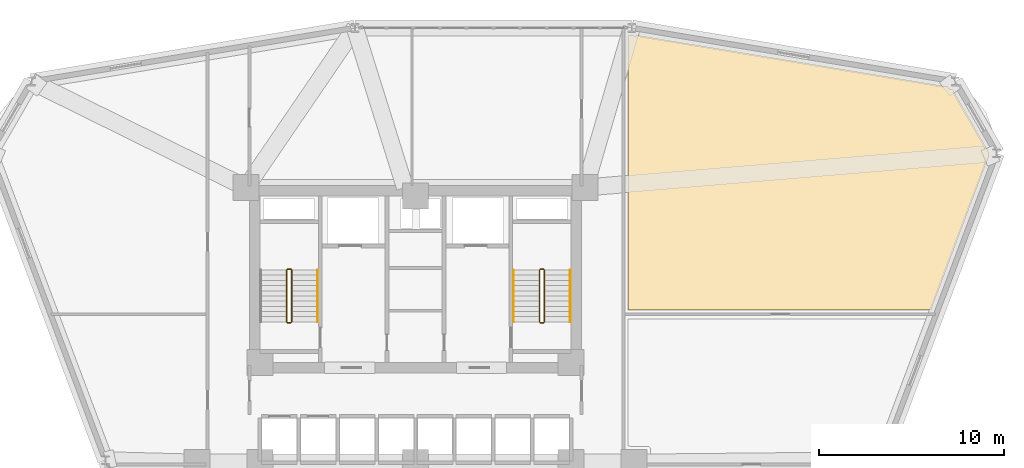
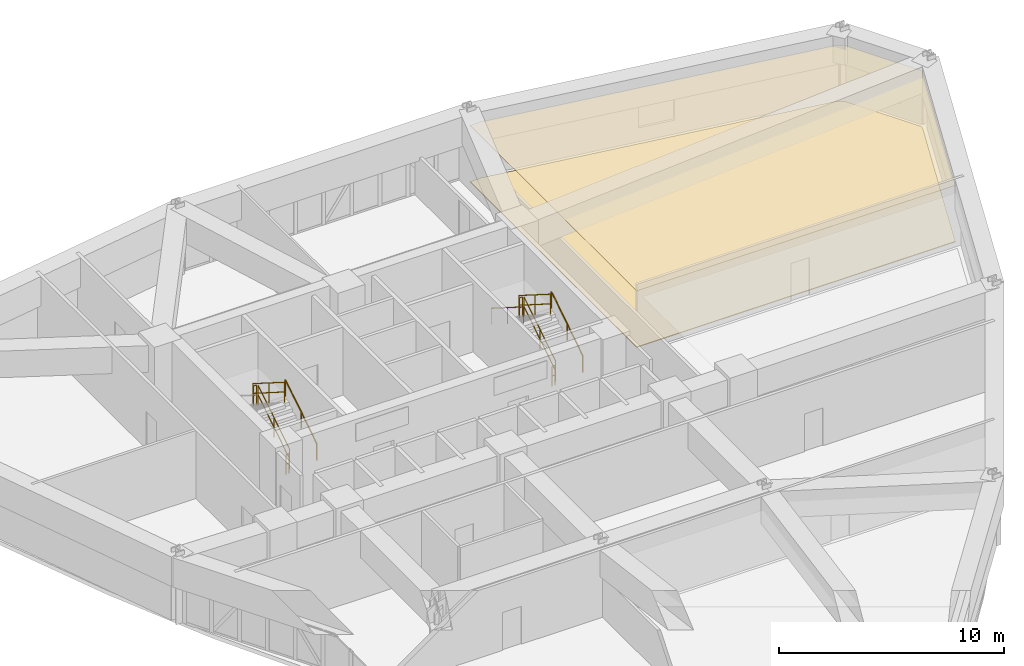
# One storey, part 17 of 17: 11 railings, 2 coverings.
"""IFC4 building model written with IfcOpenShell, lengths in metres."""

from ifc_helpers import new_model, si_unit, derived_unit, direction, frame, origin, origin_2d, place, context, subcontext, project, spatial, polyline, circle, outline, extrude, material, layer, layer_set, type_object, element, save


model = new_model("IFC4")

# Units and contexts
model_context = context("Model", 3, precision=1e-05, world=origin(), true_north=direction((0.0, 1.0)))
body_context = subcontext(model_context, "Body", "Model", "MODEL_VIEW")
ifc_project = project(units=[si_unit("LENGTHUNIT", "METRE"), si_unit("AREAUNIT", "SQUARE_METRE"), si_unit("VOLUMEUNIT", "CUBIC_METRE"), si_unit("PLANEANGLEUNIT", "RADIAN"), si_unit("MASSUNIT", "GRAM", prefix="KILO"), derived_unit("THERMALTRANSMITTANCEUNIT", [(si_unit("POWERUNIT", "WATT"), 1), (si_unit("LENGTHUNIT", "METRE"), -2), (si_unit("THERMODYNAMICTEMPERATUREUNIT", "KELVIN"), -1)])], contexts=[model_context])

# Site, building, storey
site_placement = place(None, origin())
site = spatial("IfcSite", under=ifc_project, at=site_placement, CompositionType="ELEMENT")
building_placement = place(site_placement, origin())
building = spatial("IfcBuilding", under=site, at=building_placement, Name="Korsvarv Bourse and Concert Hall", CompositionType="ELEMENT")
storey_placement = place(building_placement, frame((0.0, 0.0, 83.39990234375)))
storey = spatial("IfcBuildingStorey", under=building, at=storey_placement, Name="L20", CompositionType="ELEMENT", Elevation=83.39990234375)

# Coverings
ifc_material_1 = material(Name="Perforated mineral-wool and birch acoustic baffle ceiling", Category="wood")
ifc_layer_1 = layer(ifc_material_1, 0.02490234375)
ifc_layer_set_1 = layer_set([ifc_layer_1], Name="Perforated mineral-wool and birch acoustic baffle ceiling")
covering_type_1 = type_object("IfcCoveringType", Name="COV-CEIL-1", PredefinedType="CEILING", material=ifc_layer_set_1)
covering_1_placement = place(storey_placement, frame((0.0, 0.0, 3.06005859375)))
element("IfcCovering", 1, at=covering_1_placement, inside=storey, type_object=covering_type_1, Name="L20 acoustic baffle ceiling 1", PredefinedType="CEILING", context=body_context, shape_type="SweptSolid", body=[
    extrude(outline(polyline([(47.876708984375, 55.440673828125), (47.912109375, 55.443603515625), (47.9462890625, 55.453125), (47.97802734375, 55.469482421875), (64.731201171875, 52.693115234375), (64.740478515625, 52.664306640625), (64.758056640625, 52.632568359375), (64.781494140625, 52.60498046875), (64.810302734375, 52.58251953125), (64.8427734375, 52.56640625), (64.8779296875, 52.55712890625), (64.978759765625, 52.55078125), (66.960205078125, 49.118408203125), (66.960205078125, 48.998779296875), (63.824951171875, 40.64990234375), (47.47998046875, 40.64990234375), (47.47998046875, 55.449951171875), (47.876708984375, 55.440673828125)])), origin(), (0.0, 0.0, 1.0), 0.025146484375),
])
ifc_material_2 = material(Name="Calcium-sulphate raised access trading floor with Nordic oak top", Category="wood")
ifc_layer_2 = layer(ifc_material_2, 0.0400390625)
ifc_layer_set_2 = layer_set([ifc_layer_2], Name="Calcium-sulphate raised access trading floor with Nordic oak top")
covering_type_2 = type_object("IfcCoveringType", Name="COV-FLOR-1", PredefinedType="FLOORING", material=ifc_layer_set_2)
covering_2_placement = place(storey_placement, origin())
element("IfcCovering", 2, at=covering_2_placement, inside=storey, type_object=covering_type_2, Name="L20 raised access oak floor finish 1", PredefinedType="FLOORING", context=body_context, shape_type="SweptSolid", body=[
    extrude(outline(polyline([(47.876708984375, 55.440673828125), (47.912109375, 55.443603515625), (47.9462890625, 55.453125), (47.97802734375, 55.469482421875), (64.731201171875, 52.693115234375), (64.740478515625, 52.664306640625), (64.758056640625, 52.632568359375), (64.781494140625, 52.60498046875), (64.810302734375, 52.58251953125), (64.8427734375, 52.56640625), (64.8779296875, 52.55712890625), (64.978759765625, 52.55078125), (66.960205078125, 49.118408203125), (66.960205078125, 48.998779296875), (63.824951171875, 40.64990234375), (47.47998046875, 40.64990234375), (47.47998046875, 55.449951171875), (47.876708984375, 55.440673828125)])), origin(), (0.0, 0.0, 1.0), 0.0400390625),
])

# Railings
ifc_material_3 = material(Name="Painted Steel S355 stair well guardrail", Category="steel")
railing_type_1 = type_object("IfcRailingType", Name="RL-ST-GRD", PredefinedType="GUARDRAIL", material=ifc_material_3)
railing_1_placement = place(storey_placement, frame((29.31005859375, 40.0, 0.177490234375)))
element("IfcRailing", 3, at=railing_1_placement, inside=storey, type_object=railing_type_1, Name="L20 ST-T1 stair guard 1", PredefinedType="GUARDRAIL", context=body_context, shape_type="SweptSolid", body=[
    extrude(circle(Radius=0.02392578125, at=origin_2d()), frame((0.0, 0.0, 1.076171875), z_axis=(0.0, 0.844908973607, 0.534910110503), x_axis=(-1.0, 0.0, 0.0)), (0.0, 0.0, 1.0), 3.31396484375),
    extrude(circle(Radius=0.02392578125, at=origin_2d()), frame((0.0, 0.0, 0.550048828125), z_axis=(0.0, 0.844908973607, 0.534910110503), x_axis=(-1.0, 0.0, 0.0)), (0.0, 0.0, 1.0), 3.31396484375),
    extrude(circle(Radius=0.02099609375, at=origin_2d()), origin(), (0.0, 0.0, 1.0), 1.052001953125),
    extrude(circle(Radius=0.02099609375, at=origin_2d()), frame((0.0, 1.39990234375, 0.88623046875)), (0.0, 0.0, 1.0), 1.052001953125),
    extrude(circle(Radius=0.02099609375, at=origin_2d()), frame((0.0, 2.800048828125, 1.772705078125)), (0.0, 0.0, 1.0), 1.052001953125),
])
railing_2_placement = place(storey_placement, frame((29.260009765625, 42.85009765625, 1.9501953125)))
element("IfcRailing", 4, at=railing_2_placement, inside=storey, type_object=railing_type_1, Name="L20 ST-T1 stair guard 2", PredefinedType="GUARDRAIL", context=body_context, shape_type="SweptSolid", body=[
    extrude(circle(Radius=0.02392578125, at=origin_2d()), frame((0.0, 0.0, 1.076171875), z_axis=(-1.0, 0.0, 0.0), x_axis=(0.0, -1.0, 0.0)), (0.0, 0.0, 1.0), 0.159912109375),
    extrude(circle(Radius=0.02392578125, at=origin_2d()), frame((0.0, 0.0, 0.550048828125), z_axis=(-1.0, 0.0, 0.0), x_axis=(0.0, -1.0, 0.0)), (0.0, 0.0, 1.0), 0.159912109375),
    extrude(circle(Radius=0.02099609375, at=origin_2d()), origin(), (0.0, 0.0, 1.0), 1.052001953125),
    extrude(circle(Radius=0.02099609375, at=origin_2d()), frame((-0.159912109375, 0.0, 0.0)), (0.0, 0.0, 1.0), 1.052001953125),
])
railing_3_placement = place(storey_placement, frame((29.050048828125, 42.800048828125, 2.12744140625)))
element("IfcRailing", 5, at=railing_3_placement, inside=storey, type_object=railing_type_1, Name="L20 ST-T1 stair guard 3", PredefinedType="GUARDRAIL", context=body_context, shape_type="SweptSolid", body=[
    extrude(circle(Radius=0.02392578125, at=origin_2d()), frame((0.0, 0.0, 1.076171875), z_axis=(0.0, -0.844908973607, 0.534910110503), x_axis=(1.0, 0.0, 0.0)), (0.0, 0.0, 1.0), 3.31396484375),
    extrude(circle(Radius=0.02392578125, at=origin_2d()), frame((0.0, 0.0, 0.550048828125), z_axis=(0.0, -0.844908973607, 0.534910110503), x_axis=(1.0, 0.0, 0.0)), (0.0, 0.0, 1.0), 3.31396484375),
    extrude(circle(Radius=0.02099609375, at=origin_2d()), origin(), (0.0, 0.0, 1.0), 1.052001953125),
    extrude(circle(Radius=0.02099609375, at=origin_2d()), frame((0.0, -1.39990234375, 0.88623046875)), (0.0, 0.0, 1.0), 1.052001953125),
    extrude(circle(Radius=0.02099609375, at=origin_2d()), frame((0.0, -2.800048828125, 1.772705078125)), (0.0, 0.0, 1.0), 1.052001953125),
])
railing_4_placement = place(storey_placement, frame((29.260009765625, 39.949951171875, 0.0)))
element("IfcRailing", 6, at=railing_4_placement, inside=storey, type_object=railing_type_1, Name="L20 ST-T1 stair guard 4", PredefinedType="GUARDRAIL", context=body_context, shape_type="SweptSolid", body=[
    extrude(circle(Radius=0.02392578125, at=origin_2d()), frame((0.0, 0.0, 1.076171875), z_axis=(-1.0, 0.0, 0.0), x_axis=(0.0, -1.0, 0.0)), (0.0, 0.0, 1.0), 0.159912109375),
    extrude(circle(Radius=0.02392578125, at=origin_2d()), frame((0.0, 0.0, 0.550048828125), z_axis=(-1.0, 0.0, 0.0), x_axis=(0.0, -1.0, 0.0)), (0.0, 0.0, 1.0), 0.159912109375),
    extrude(circle(Radius=0.02099609375, at=origin_2d()), origin(), (0.0, 0.0, 1.0), 1.052001953125),
    extrude(circle(Radius=0.02099609375, at=origin_2d()), frame((-0.159912109375, 0.0, 0.0)), (0.0, 0.0, 1.0), 1.052001953125),
])
railing_5_placement = place(storey_placement, frame((42.949951171875, 40.0, 0.177490234375)))
element("IfcRailing", 7, at=railing_5_placement, inside=storey, type_object=railing_type_1, Name="L20 ST-T2 stair guard 1", PredefinedType="GUARDRAIL", context=body_context, shape_type="SweptSolid", body=[
    extrude(circle(Radius=0.02392578125, at=origin_2d()), frame((0.0, 0.0, 1.076171875), z_axis=(0.0, 0.844908973607, 0.534910110503), x_axis=(-1.0, 0.0, 0.0)), (0.0, 0.0, 1.0), 3.31396484375),
    extrude(circle(Radius=0.02392578125, at=origin_2d()), frame((0.0, 0.0, 0.550048828125), z_axis=(0.0, 0.844908973607, 0.534910110503), x_axis=(-1.0, 0.0, 0.0)), (0.0, 0.0, 1.0), 3.31396484375),
    extrude(circle(Radius=0.02099609375, at=origin_2d()), origin(), (0.0, 0.0, 1.0), 1.052001953125),
    extrude(circle(Radius=0.02099609375, at=origin_2d()), frame((0.0, 1.39990234375, 0.88623046875)), (0.0, 0.0, 1.0), 1.052001953125),
    extrude(circle(Radius=0.02099609375, at=origin_2d()), frame((0.0, 2.800048828125, 1.772705078125)), (0.0, 0.0, 1.0), 1.052001953125),
])
railing_6_placement = place(storey_placement, frame((42.89990234375, 42.85009765625, 1.9501953125)))
element("IfcRailing", 8, at=railing_6_placement, inside=storey, type_object=railing_type_1, Name="L20 ST-T2 stair guard 2", PredefinedType="GUARDRAIL", context=body_context, shape_type="SweptSolid", body=[
    extrude(circle(Radius=0.02392578125, at=origin_2d()), frame((0.0, 0.0, 1.076171875), z_axis=(-1.0, 0.0, 0.0), x_axis=(0.0, -1.0, 0.0)), (0.0, 0.0, 1.0), 0.159912109375),
    extrude(circle(Radius=0.02392578125, at=origin_2d()), frame((0.0, 0.0, 0.550048828125), z_axis=(-1.0, 0.0, 0.0), x_axis=(0.0, -1.0, 0.0)), (0.0, 0.0, 1.0), 0.159912109375),
    extrude(circle(Radius=0.02099609375, at=origin_2d()), origin(), (0.0, 0.0, 1.0), 1.052001953125),
    extrude(circle(Radius=0.02099609375, at=origin_2d()), frame((-0.159912109375, 0.0, 0.0)), (0.0, 0.0, 1.0), 1.052001953125),
])
railing_7_placement = place(storey_placement, frame((42.68994140625, 42.800048828125, 2.12744140625)))
element("IfcRailing", 9, at=railing_7_placement, inside=storey, type_object=railing_type_1, Name="L20 ST-T2 stair guard 3", PredefinedType="GUARDRAIL", context=body_context, shape_type="SweptSolid", body=[
    extrude(circle(Radius=0.02392578125, at=origin_2d()), frame((0.0, 0.0, 1.076171875), z_axis=(0.0, -0.844908973607, 0.534910110503), x_axis=(1.0, 0.0, 0.0)), (0.0, 0.0, 1.0), 3.31396484375),
    extrude(circle(Radius=0.02392578125, at=origin_2d()), frame((0.0, 0.0, 0.550048828125), z_axis=(0.0, -0.844908973607, 0.534910110503), x_axis=(1.0, 0.0, 0.0)), (0.0, 0.0, 1.0), 3.31396484375),
    extrude(circle(Radius=0.02099609375, at=origin_2d()), origin(), (0.0, 0.0, 1.0), 1.052001953125),
    extrude(circle(Radius=0.02099609375, at=origin_2d()), frame((0.0, -1.39990234375, 0.88623046875)), (0.0, 0.0, 1.0), 1.052001953125),
    extrude(circle(Radius=0.02099609375, at=origin_2d()), frame((0.0, -2.800048828125, 1.772705078125)), (0.0, 0.0, 1.0), 1.052001953125),
])
railing_8_placement = place(storey_placement, frame((42.89990234375, 39.949951171875, 0.0)))
element("IfcRailing", 10, at=railing_8_placement, inside=storey, type_object=railing_type_1, Name="L20 ST-T2 stair guard 4", PredefinedType="GUARDRAIL", context=body_context, shape_type="SweptSolid", body=[
    extrude(circle(Radius=0.02392578125, at=origin_2d()), frame((0.0, 0.0, 1.076171875), z_axis=(-1.0, 0.0, 0.0), x_axis=(0.0, -1.0, 0.0)), (0.0, 0.0, 1.0), 0.159912109375),
    extrude(circle(Radius=0.02392578125, at=origin_2d()), frame((0.0, 0.0, 0.550048828125), z_axis=(-1.0, 0.0, 0.0), x_axis=(0.0, -1.0, 0.0)), (0.0, 0.0, 1.0), 0.159912109375),
    extrude(circle(Radius=0.02099609375, at=origin_2d()), origin(), (0.0, 0.0, 1.0), 1.052001953125),
    extrude(circle(Radius=0.02099609375, at=origin_2d()), frame((-0.159912109375, 0.0, 0.0)), (0.0, 0.0, 1.0), 1.052001953125),
])
ifc_material_4 = material(Name="Brushed stainless Steel S355 tubular handrail", Category="steel")
railing_type_2 = type_object("IfcRailingType", Name="RL-ST-HND", PredefinedType="HANDRAIL", material=ifc_material_4)
for number, where, name in (
    (11, (30.7099609375, 40.0, 0.177490234375), "L20 ST-T1 stair handrail 1"),
    (12, (44.35009765625, 40.0, 0.177490234375), "L20 ST-T2 stair handrail 1"),
):
    element("IfcRailing", number, at=place(storey_placement, frame(where)), inside=storey, type_object=railing_type_2, Name=name, PredefinedType="HANDRAIL", context=body_context, shape_type="SweptSolid", body=[
        extrude(circle(Radius=0.02392578125, at=origin_2d()), frame((0.0, 0.0, 0.8759765625), z_axis=(0.0, 0.844908973607, 0.534910110503), x_axis=(-1.0, 0.0, 0.0)), (0.0, 0.0, 1.0), 3.31396484375),
        extrude(circle(Radius=0.02099609375, at=origin_2d()), origin(), (0.0, 0.0, 1.0), 0.851806640625),
        extrude(circle(Radius=0.02099609375, at=origin_2d()), frame((0.0, 1.39990234375, 0.88623046875)), (0.0, 0.0, 1.0), 0.851806640625),
        extrude(circle(Radius=0.02099609375, at=origin_2d()), frame((0.0, 2.800048828125, 1.772705078125)), (0.0, 0.0, 1.0), 0.851806640625),
    ])
railing_9_placement = place(storey_placement, frame((41.2900390625, 42.800048828125, 2.12744140625)))
element("IfcRailing", 13, at=railing_9_placement, inside=storey, type_object=railing_type_2, Name="L20 ST-T2 stair handrail 2", PredefinedType="HANDRAIL", context=body_context, shape_type="SweptSolid", body=[
    extrude(circle(Radius=0.02392578125, at=origin_2d()), frame((0.0, 0.0, 0.8759765625), z_axis=(0.0, -0.844908973607, 0.534910110503), x_axis=(1.0, 0.0, 0.0)), (0.0, 0.0, 1.0), 3.31396484375),
    extrude(circle(Radius=0.02099609375, at=origin_2d()), origin(), (0.0, 0.0, 1.0), 0.851806640625),
    extrude(circle(Radius=0.02099609375, at=origin_2d()), frame((0.0, -1.39990234375, 0.88623046875)), (0.0, 0.0, 1.0), 0.851806640625),
    extrude(circle(Radius=0.02099609375, at=origin_2d()), frame((0.0, -2.800048828125, 1.772705078125)), (0.0, 0.0, 1.0), 0.851806640625),
])

save(model, "model.ifc")
